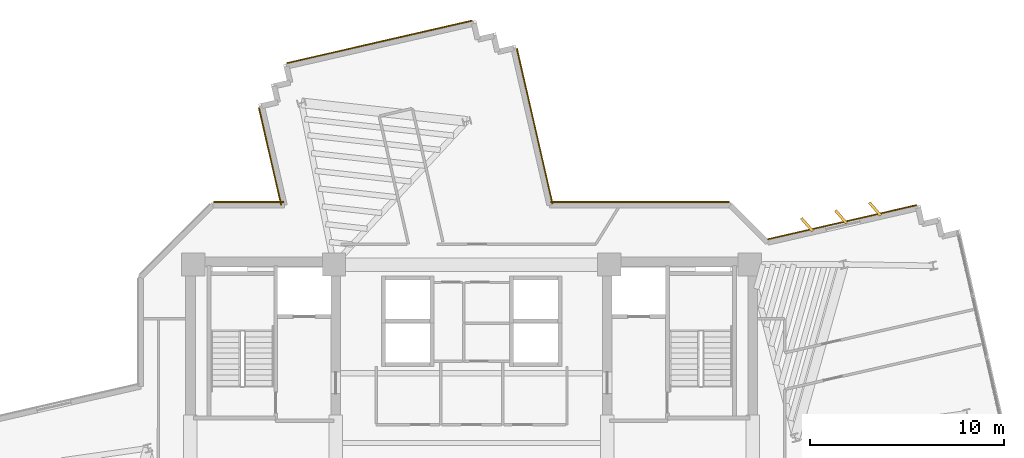
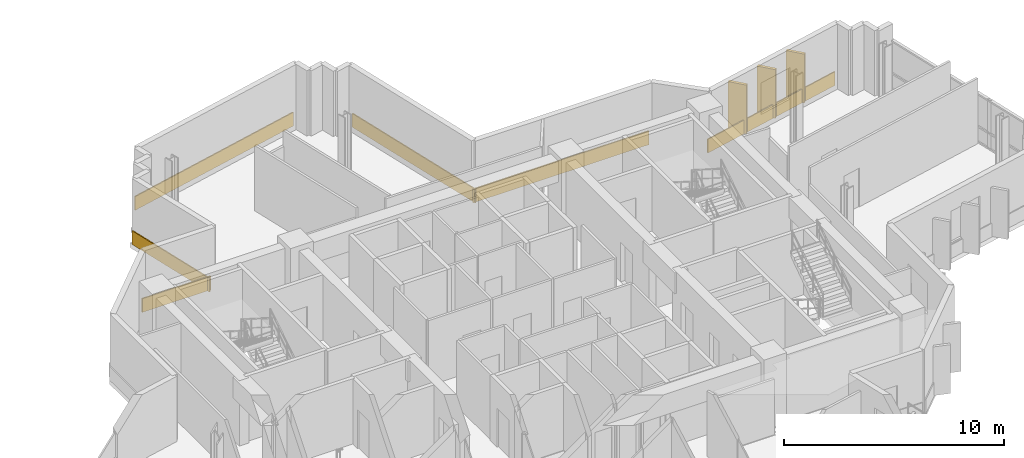
# One storey, part 13 of 13: 9 coverings.
"""IFC4 building model written with IfcOpenShell, lengths in metres."""

from ifc_helpers import new_model, si_unit, direction, frame, origin, origin_2d, place, context, subcontext, project, spatial, rectangle, extrude, source, transform, mapped, material, layer, layer_set, type_object, element, save


model = new_model("IFC4")

# Units and contexts
model_context = context("Model", 3, precision=1e-05, world=origin(), true_north=direction((0.0, 1.0)))
body_context = subcontext(model_context, "Body", "Model", "MODEL_VIEW")
ifc_project = project(units=[si_unit("LENGTHUNIT", "METRE"), si_unit("AREAUNIT", "SQUARE_METRE"), si_unit("VOLUMEUNIT", "CUBIC_METRE"), si_unit("PLANEANGLEUNIT", "RADIAN"), si_unit("MASSUNIT", "GRAM", prefix="KILO")], contexts=[model_context])

# Site, building, storey
site_placement = place(None, origin())
site = spatial("IfcSite", under=ifc_project, at=site_placement, CompositionType="ELEMENT")
building_placement = place(site_placement, origin())
building = spatial("IfcBuilding", under=site, at=building_placement, Name="Zahravan Cultural Tower", CompositionType="ELEMENT")
storey_placement = place(building_placement, frame((0.0, 0.0, 178.5)))
storey = spatial("IfcBuildingStorey", under=building, at=storey_placement, Name="L41", CompositionType="ELEMENT", Elevation=178.5)

# Coverings
ifc_material = material(Name="Terracotta ceramic cladding", Category="masonry")
ifc_layer = layer(ifc_material, 0.06005859375)
ifc_layer_set = layer_set([ifc_layer], Name="Terracotta ceramic cladding")
covering_type = type_object("IfcCoveringType", Name="COV-CLAD-TC60", PredefinedType="CLADDING", material=ifc_layer_set)
shared_shape_1 = source(origin(), body_context, "Body", "SweptSolid", [
    extrude(rectangle(XDim=0.8798828125, YDim=0.139892578125, at=origin_2d()), origin(), (0.0, 0.0, 1.0), 2.699951171875),
])
for number, where, z_axis, x_axis, name in (
    (1, (53.29541015625, 38.26220703125, 0.0498046875), (0.0, 0.0, 1.0), (-0.655004616457, 0.755624875464, 0.0), "L41 Herringbone Terracotta Fin 01"),
    (2, (55.0498046875, 38.664794921875, 0.0498046875), (0.0, 0.0, 1.0), (-0.655004616457, 0.755624875464, 0.0), "L41 Herringbone Terracotta Fin 02"),
    (3, (56.80419921875, 39.067138671875, 0.0498046875), (0.0, 0.0, 1.0), (-0.655004616457, 0.755624875464, 0.0), "L41 Herringbone Terracotta Fin 03"),
):
    element("IfcCovering", number, at=place(storey_placement, frame(where, z_axis=z_axis, x_axis=x_axis)), inside=storey, type_object=covering_type, Name=name, PredefinedType="CLADDING", context=body_context, shape_type="MappedRepresentation", body=[
        mapped(shared_shape_1, transform((0.0, 0.0, 0.0), x_axis=(1.0, 0.0, 0.0), y_axis=(0.0, 1.0, 0.0), z_axis=(0.0, 0.0, 1.0), scale=1.0)),
    ])
shared_shape_2 = source(origin(), body_context, "Body", "SweptSolid", [
    extrude(rectangle(XDim=7.868896484375, YDim=0.06005859375, at=origin_2d()), origin(), (0.0, 0.0, 1.0), 0.760009765625),
])
covering_1_placement = place(storey_placement, frame((55.113525390625, 38.386962890625, 0.02001953125), z_axis=(0.0, 0.0, 1.0), x_axis=(0.974683205815, 0.223590358248, 0.0)))
element("IfcCovering", 4, at=covering_1_placement, inside=storey, type_object=covering_type, Name="L41 Terracotta Spandrel Cladding 01", PredefinedType="CLADDING", context=body_context, shape_type="MappedRepresentation", body=[
    mapped(shared_shape_2, transform((0.0, 0.0, 0.0), x_axis=(1.0, 0.0, 0.0), y_axis=(0.0, 1.0, 0.0), z_axis=(0.0, 0.0, 1.0), scale=1.0)),
])
shared_shape_3 = source(origin(), body_context, "Body", "SweptSolid", [
    extrude(rectangle(XDim=3.5966796875, YDim=0.06005859375, at=origin_2d()), origin(), (0.0, 0.0, 1.0), 0.760009765625),
])
covering_2_placement = place(storey_placement, frame((24.50634765625, 39.425048828125, 0.02001953125), z_axis=(0.0, 0.0, 1.0), x_axis=(1.0, 0.0, 0.0)))
element("IfcCovering", 5, at=covering_2_placement, inside=storey, type_object=covering_type, Name="L41 Terracotta Spandrel Cladding 39", PredefinedType="CLADDING", context=body_context, shape_type="MappedRepresentation", body=[
    mapped(shared_shape_3, transform((0.0, 0.0, 0.0), x_axis=(1.0, 0.0, 0.0), y_axis=(0.0, 1.0, 0.0), z_axis=(0.0, 0.0, 1.0), scale=1.0)),
])
shared_shape_4 = source(origin(), body_context, "Body", "SweptSolid", [
    extrude(rectangle(XDim=5.15380859375, YDim=0.06005859375, at=origin_2d()), origin(), (0.0, 0.0, 1.0), 0.760009765625),
])
covering_3_placement = place(storey_placement, frame((25.6064453125, 41.783447265625, 0.02001953125), z_axis=(0.0, 0.0, 1.0), x_axis=(-0.223590358248, 0.974683205815, 0.0)))
element("IfcCovering", 6, at=covering_3_placement, inside=storey, type_object=covering_type, Name="L41 Terracotta Spandrel Cladding 40", PredefinedType="CLADDING", context=body_context, shape_type="MappedRepresentation", body=[
    mapped(shared_shape_4, transform((0.0, 0.0, 0.0), x_axis=(1.0, 0.0, 0.0), y_axis=(0.0, 1.0, 0.0), z_axis=(0.0, 0.0, 1.0), scale=1.0)),
])
shared_shape_5 = source(origin(), body_context, "Body", "SweptSolid", [
    extrude(rectangle(XDim=9.81982421875, YDim=0.06005859375, at=origin_2d()), origin(), (0.0, 0.0, 1.0), 0.760009765625),
])
covering_4_placement = place(storey_placement, frame((31.25439453125, 47.6875, 0.02001953125), z_axis=(0.0, 0.0, 1.0), x_axis=(0.974683205815, 0.223590358248, 0.0)))
element("IfcCovering", 7, at=covering_4_placement, inside=storey, type_object=covering_type, Name="L41 Terracotta Spandrel Cladding 45", PredefinedType="CLADDING", context=body_context, shape_type="MappedRepresentation", body=[
    mapped(shared_shape_5, transform((0.0, 0.0, 0.0), x_axis=(1.0, 0.0, 0.0), y_axis=(0.0, 1.0, 0.0), z_axis=(0.0, 0.0, 1.0), scale=1.0)),
])
shared_shape_6 = source(origin(), body_context, "Body", "SweptSolid", [
    extrude(rectangle(XDim=8.209228515625, YDim=0.06005859375, at=origin_2d()), origin(), (0.0, 0.0, 1.0), 0.760009765625),
])
covering_5_placement = place(storey_placement, frame((39.25244140625, 43.34619140625, 0.02001953125), z_axis=(0.0, 0.0, 1.0), x_axis=(0.223607369645, -0.974679303279, 0.0)))
element("IfcCovering", 8, at=covering_5_placement, inside=storey, type_object=covering_type, Name="L41 Terracotta Spandrel Cladding 50", PredefinedType="CLADDING", context=body_context, shape_type="MappedRepresentation", body=[
    mapped(shared_shape_6, transform((0.0, 0.0, 0.0), x_axis=(1.0, 0.0, 0.0), y_axis=(0.0, 1.0, 0.0), z_axis=(0.0, 0.0, 1.0), scale=1.0)),
])
shared_shape_7 = source(origin(), body_context, "Body", "SweptSolid", [
    extrude(rectangle(XDim=9.221435546875, YDim=0.06005859375, at=origin_2d()), origin(), (0.0, 0.0, 1.0), 0.760009765625),
])
covering_6_placement = place(storey_placement, frame((44.681396484375, 39.425048828125, 0.02001953125), z_axis=(0.0, 0.0, 1.0), x_axis=(1.0, 0.0, 0.0)))
element("IfcCovering", 9, at=covering_6_placement, inside=storey, type_object=covering_type, Name="L41 Terracotta Spandrel Cladding 51", PredefinedType="CLADDING", context=body_context, shape_type="MappedRepresentation", body=[
    mapped(shared_shape_7, transform((0.0, 0.0, 0.0), x_axis=(1.0, 0.0, 0.0), y_axis=(0.0, 1.0, 0.0), z_axis=(0.0, 0.0, 1.0), scale=1.0)),
])

save(model, "model.ifc")
